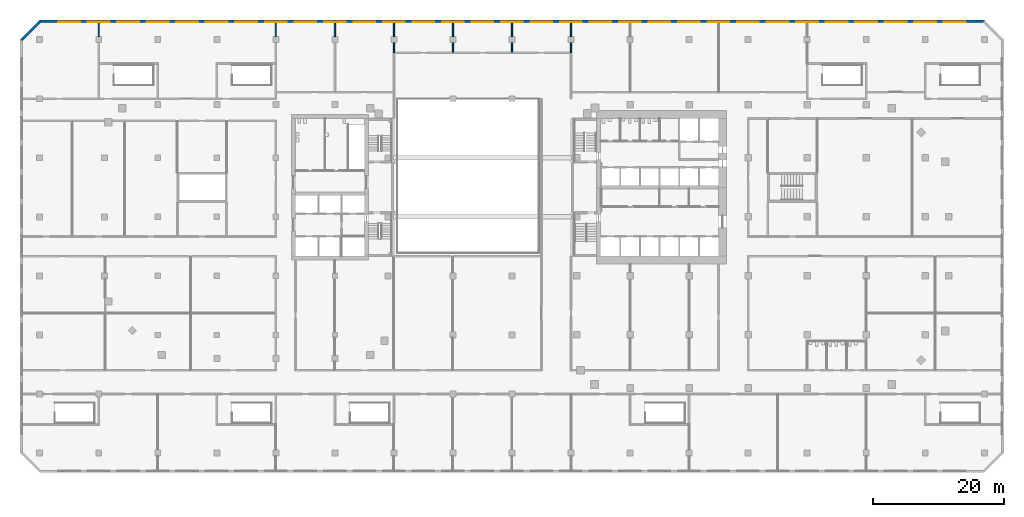
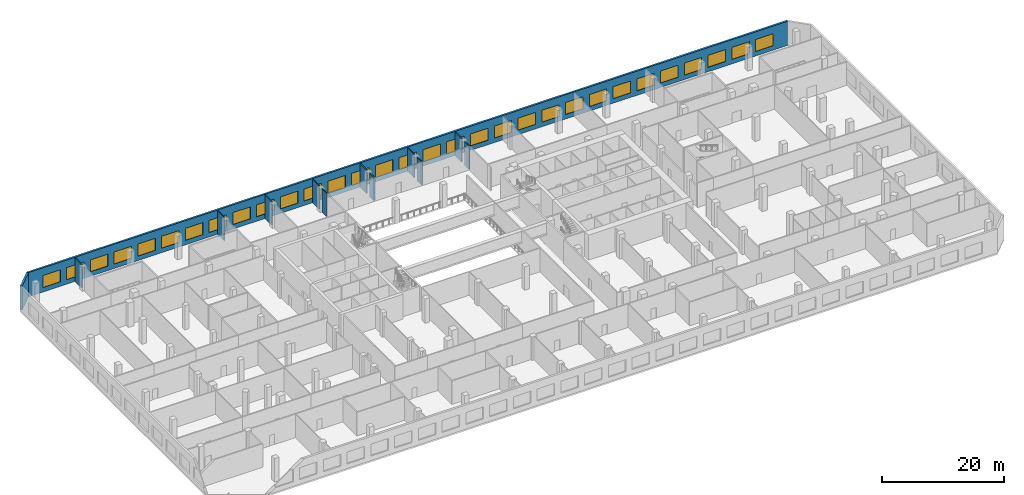
# One storey, part 13 of 20: 31 windows, 13 walls, 31 openings.
"""IFC4 building model written with IfcOpenShell, lengths in metres."""

from ifc_helpers import new_model, si_unit, direction, frame, frame_2d, origin, place, context, subcontext, project, spatial, rectangle, extrude, material, layer, layer_set, type_object, element, fill, save


model = new_model("IFC4")

# Units and contexts
model_context = context("Model", 3, precision=1e-05, world=origin(), true_north=direction((0.0, 1.0)))
body_context = subcontext(model_context, "Body", "Model", "MODEL_VIEW")
ifc_project = project(units=[si_unit("LENGTHUNIT", "METRE"), si_unit("AREAUNIT", "SQUARE_METRE"), si_unit("VOLUMEUNIT", "CUBIC_METRE"), si_unit("PLANEANGLEUNIT", "RADIAN"), si_unit("MASSUNIT", "GRAM", prefix="KILO")], contexts=[model_context])

# Site, building, storey
site_placement = place(None, origin())
site = spatial("IfcSite", under=ifc_project, at=site_placement, CompositionType="ELEMENT")
building_placement = place(site_placement, origin())
building = spatial("IfcBuilding", under=site, at=building_placement, Name="Cinnabar Reach Civic Tower", CompositionType="ELEMENT")
storey_placement = place(building_placement, frame((0.0, 0.0, 21.0)))
storey = spatial("IfcBuildingStorey", under=building, at=storey_placement, Name="L04", CompositionType="ELEMENT", Elevation=21.0)

# Wall
ifc_material_1 = material(Name="Facing brick with insulated backing", Category="masonry")
ifc_layer_1 = layer(ifc_material_1, 0.36)
ifc_layer_set_1 = layer_set([ifc_layer_1], Name="Brick corner wall")
wall_type_1 = type_object("IfcWallType", Name="Brick corner wall", PredefinedType="STANDARD", material=ifc_layer_set_1)
wall_1_placement = place(storey_placement, frame((-80.9611, 56.7843, 0.0), z_axis=(0.0, 0.0, 1.0), x_axis=(-0.707106781187, -0.707106781187, 0.0)))
element("IfcWall", 1, at=wall_1_placement, inside=storey, type_object=wall_type_1, Name="Brick corner wall", PredefinedType="STANDARD", context=body_context, shape_type="SweptSolid", body=[
    extrude(rectangle(XDim=3.9926, YDim=0.36, at=frame_2d((1.9963, 0.0))), origin(), (0.0, 0.0, 1.0), 4.85),
])

# Wall, openings, windows
ifc_layer_2 = layer(ifc_material_1, 0.36)
ifc_layer_set_2 = layer_set([ifc_layer_2], Name="Brick pier and spandrel wall")
wall_type_2 = type_object("IfcWallType", Name="Brick pier and spandrel wall", PredefinedType="STANDARD", material=ifc_layer_set_2)
wall_2_placement = place(storey_placement, frame((63.0, 56.82, 0.0), z_axis=(0.0, 0.0, 1.0), x_axis=(-1.0, 0.0, 0.0)))
wall_2 = element("IfcWall", 2, at=wall_2_placement, inside=storey, type_object=wall_type_2, Name="Brick facade wall", PredefinedType="STANDARD", context=body_context, shape_type="SweptSolid", body=[
    extrude(rectangle(XDim=144.0, YDim=0.36, at=frame_2d((72.0, 0.0))), origin(), (0.0, 0.0, 1.0), 4.85),
])
opening_1_placement = place(wall_2_placement, frame((2.85, 0.0, 0.9)))
opening_1 = element("IfcOpeningElement", 3, at=opening_1_placement, cuts=wall_2, Name="Opening W3138", PredefinedType="OPENING", context=body_context, shape_type="SweptSolid", body=[
    extrude(rectangle(XDim=3.3, YDim=2.4, at=frame_2d((1.65, 1.2))), frame((0.0, 0.19, 0.0), z_axis=(0.0, -1.0, 0.0), x_axis=(1.0, 0.0, 0.0)), (0.0, 0.0, 1.0), 0.38),
])
opening_2_placement = place(wall_2_placement, frame((7.35, 0.0, 0.9)))
opening_2 = element("IfcOpeningElement", 4, at=opening_2_placement, cuts=wall_2, Name="Opening W3139", PredefinedType="OPENING", context=body_context, shape_type="SweptSolid", body=[
    extrude(rectangle(XDim=3.3, YDim=2.4, at=frame_2d((1.65, 1.2))), frame((0.0, 0.19, 0.0), z_axis=(0.0, -1.0, 0.0), x_axis=(1.0, 0.0, 0.0)), (0.0, 0.0, 1.0), 0.38),
])
opening_3_placement = place(wall_2_placement, frame((11.85, 0.0, 0.9)))
opening_3 = element("IfcOpeningElement", 5, at=opening_3_placement, cuts=wall_2, Name="Opening W3140", PredefinedType="OPENING", context=body_context, shape_type="SweptSolid", body=[
    extrude(rectangle(XDim=3.3, YDim=2.4, at=frame_2d((1.65, 1.2))), frame((0.0, 0.19, 0.0), z_axis=(0.0, -1.0, 0.0), x_axis=(1.0, 0.0, 0.0)), (0.0, 0.0, 1.0), 0.38),
])
opening_4_placement = place(wall_2_placement, frame((16.35, 0.0, 0.9)))
opening_4 = element("IfcOpeningElement", 6, at=opening_4_placement, cuts=wall_2, Name="Opening W3141", PredefinedType="OPENING", context=body_context, shape_type="SweptSolid", body=[
    extrude(rectangle(XDim=3.3, YDim=2.4, at=frame_2d((1.65, 1.2))), frame((0.0, 0.19, 0.0), z_axis=(0.0, -1.0, 0.0), x_axis=(1.0, 0.0, 0.0)), (0.0, 0.0, 1.0), 0.38),
])
opening_5_placement = place(wall_2_placement, frame((20.85, 0.0, 0.9)))
opening_5 = element("IfcOpeningElement", 7, at=opening_5_placement, cuts=wall_2, Name="Opening W3142", PredefinedType="OPENING", context=body_context, shape_type="SweptSolid", body=[
    extrude(rectangle(XDim=3.3, YDim=2.4, at=frame_2d((1.65, 1.2))), frame((0.0, 0.19, 0.0), z_axis=(0.0, -1.0, 0.0), x_axis=(1.0, 0.0, 0.0)), (0.0, 0.0, 1.0), 0.38),
])
opening_6_placement = place(wall_2_placement, frame((25.35, 0.0, 0.9)))
opening_6 = element("IfcOpeningElement", 8, at=opening_6_placement, cuts=wall_2, Name="Opening W3143", PredefinedType="OPENING", context=body_context, shape_type="SweptSolid", body=[
    extrude(rectangle(XDim=3.3, YDim=2.4, at=frame_2d((1.65, 1.2))), frame((0.0, 0.19, 0.0), z_axis=(0.0, -1.0, 0.0), x_axis=(1.0, 0.0, 0.0)), (0.0, 0.0, 1.0), 0.38),
])
opening_7_placement = place(wall_2_placement, frame((29.85, 0.0, 0.9)))
opening_7 = element("IfcOpeningElement", 9, at=opening_7_placement, cuts=wall_2, Name="Opening W3144", PredefinedType="OPENING", context=body_context, shape_type="SweptSolid", body=[
    extrude(rectangle(XDim=3.3, YDim=2.4, at=frame_2d((1.65, 1.2))), frame((0.0, 0.19, 0.0), z_axis=(0.0, -1.0, 0.0), x_axis=(1.0, 0.0, 0.0)), (0.0, 0.0, 1.0), 0.38),
])
opening_8_placement = place(wall_2_placement, frame((34.35, 0.0, 0.9)))
opening_8 = element("IfcOpeningElement", 10, at=opening_8_placement, cuts=wall_2, Name="Opening W3145", PredefinedType="OPENING", context=body_context, shape_type="SweptSolid", body=[
    extrude(rectangle(XDim=3.3, YDim=2.4, at=frame_2d((1.65, 1.2))), frame((0.0, 0.19, 0.0), z_axis=(0.0, -1.0, 0.0), x_axis=(1.0, 0.0, 0.0)), (0.0, 0.0, 1.0), 0.38),
])
opening_9_placement = place(wall_2_placement, frame((38.85, 0.0, 0.9)))
opening_9 = element("IfcOpeningElement", 11, at=opening_9_placement, cuts=wall_2, Name="Opening W3146", PredefinedType="OPENING", context=body_context, shape_type="SweptSolid", body=[
    extrude(rectangle(XDim=3.3, YDim=2.4, at=frame_2d((1.65, 1.2))), frame((0.0, 0.19, 0.0), z_axis=(0.0, -1.0, 0.0), x_axis=(1.0, 0.0, 0.0)), (0.0, 0.0, 1.0), 0.38),
])
opening_10_placement = place(wall_2_placement, frame((43.35, 0.0, 0.9)))
opening_10 = element("IfcOpeningElement", 12, at=opening_10_placement, cuts=wall_2, Name="Opening W3147", PredefinedType="OPENING", context=body_context, shape_type="SweptSolid", body=[
    extrude(rectangle(XDim=3.3, YDim=2.4, at=frame_2d((1.65, 1.2))), frame((0.0, 0.19, 0.0), z_axis=(0.0, -1.0, 0.0), x_axis=(1.0, 0.0, 0.0)), (0.0, 0.0, 1.0), 0.38),
])
opening_11_placement = place(wall_2_placement, frame((47.85, 0.0, 0.9)))
opening_11 = element("IfcOpeningElement", 13, at=opening_11_placement, cuts=wall_2, Name="Opening W3148", PredefinedType="OPENING", context=body_context, shape_type="SweptSolid", body=[
    extrude(rectangle(XDim=3.3, YDim=2.4, at=frame_2d((1.65, 1.2))), frame((0.0, 0.19, 0.0), z_axis=(0.0, -1.0, 0.0), x_axis=(1.0, 0.0, 0.0)), (0.0, 0.0, 1.0), 0.38),
])
opening_12_placement = place(wall_2_placement, frame((52.35, 0.0, 0.9)))
opening_12 = element("IfcOpeningElement", 14, at=opening_12_placement, cuts=wall_2, Name="Opening W3149", PredefinedType="OPENING", context=body_context, shape_type="SweptSolid", body=[
    extrude(rectangle(XDim=3.3, YDim=2.4, at=frame_2d((1.65, 1.2))), frame((0.0, 0.19, 0.0), z_axis=(0.0, -1.0, 0.0), x_axis=(1.0, 0.0, 0.0)), (0.0, 0.0, 1.0), 0.38),
])
opening_13_placement = place(wall_2_placement, frame((56.85, 0.0, 0.9)))
opening_13 = element("IfcOpeningElement", 15, at=opening_13_placement, cuts=wall_2, Name="Opening W3150", PredefinedType="OPENING", context=body_context, shape_type="SweptSolid", body=[
    extrude(rectangle(XDim=3.3, YDim=2.4, at=frame_2d((1.65, 1.2))), frame((0.0, 0.19, 0.0), z_axis=(0.0, -1.0, 0.0), x_axis=(1.0, 0.0, 0.0)), (0.0, 0.0, 1.0), 0.38),
])
opening_14_placement = place(wall_2_placement, frame((61.35, 0.0, 0.9)))
opening_14 = element("IfcOpeningElement", 16, at=opening_14_placement, cuts=wall_2, Name="Opening W3151", PredefinedType="OPENING", context=body_context, shape_type="SweptSolid", body=[
    extrude(rectangle(XDim=3.3, YDim=2.4, at=frame_2d((1.65, 1.2))), frame((0.0, 0.19, 0.0), z_axis=(0.0, -1.0, 0.0), x_axis=(1.0, 0.0, 0.0)), (0.0, 0.0, 1.0), 0.38),
])
opening_15_placement = place(wall_2_placement, frame((65.85, 0.0, 0.9)))
opening_15 = element("IfcOpeningElement", 17, at=opening_15_placement, cuts=wall_2, Name="Opening W3152", PredefinedType="OPENING", context=body_context, shape_type="SweptSolid", body=[
    extrude(rectangle(XDim=3.3, YDim=2.4, at=frame_2d((1.65, 1.2))), frame((0.0, 0.19, 0.0), z_axis=(0.0, -1.0, 0.0), x_axis=(1.0, 0.0, 0.0)), (0.0, 0.0, 1.0), 0.38),
])
opening_16_placement = place(wall_2_placement, frame((70.35, 0.0, 0.9)))
opening_16 = element("IfcOpeningElement", 18, at=opening_16_placement, cuts=wall_2, Name="Opening W3153", PredefinedType="OPENING", context=body_context, shape_type="SweptSolid", body=[
    extrude(rectangle(XDim=3.3, YDim=2.4, at=frame_2d((1.65, 1.2))), frame((0.0, 0.19, 0.0), z_axis=(0.0, -1.0, 0.0), x_axis=(1.0, 0.0, 0.0)), (0.0, 0.0, 1.0), 0.38),
])
opening_17_placement = place(wall_2_placement, frame((74.85, 0.0, 0.9)))
opening_17 = element("IfcOpeningElement", 19, at=opening_17_placement, cuts=wall_2, Name="Opening W3154", PredefinedType="OPENING", context=body_context, shape_type="SweptSolid", body=[
    extrude(rectangle(XDim=3.3, YDim=2.4, at=frame_2d((1.65, 1.2))), frame((0.0, 0.19, 0.0), z_axis=(0.0, -1.0, 0.0), x_axis=(1.0, 0.0, 0.0)), (0.0, 0.0, 1.0), 0.38),
])
opening_18_placement = place(wall_2_placement, frame((79.35, 0.0, 0.9)))
opening_18 = element("IfcOpeningElement", 20, at=opening_18_placement, cuts=wall_2, Name="Opening W3155", PredefinedType="OPENING", context=body_context, shape_type="SweptSolid", body=[
    extrude(rectangle(XDim=3.3, YDim=2.4, at=frame_2d((1.65, 1.2))), frame((0.0, 0.19, 0.0), z_axis=(0.0, -1.0, 0.0), x_axis=(1.0, 0.0, 0.0)), (0.0, 0.0, 1.0), 0.38),
])
opening_19_placement = place(wall_2_placement, frame((83.85, 0.0, 0.9)))
opening_19 = element("IfcOpeningElement", 21, at=opening_19_placement, cuts=wall_2, Name="Opening W3156", PredefinedType="OPENING", context=body_context, shape_type="SweptSolid", body=[
    extrude(rectangle(XDim=3.3, YDim=2.4, at=frame_2d((1.65, 1.2))), frame((0.0, 0.19, 0.0), z_axis=(0.0, -1.0, 0.0), x_axis=(1.0, 0.0, 0.0)), (0.0, 0.0, 1.0), 0.38),
])
opening_20_placement = place(wall_2_placement, frame((88.35, 0.0, 0.9)))
opening_20 = element("IfcOpeningElement", 22, at=opening_20_placement, cuts=wall_2, Name="Opening W3157", PredefinedType="OPENING", context=body_context, shape_type="SweptSolid", body=[
    extrude(rectangle(XDim=3.3, YDim=2.4, at=frame_2d((1.65, 1.2))), frame((0.0, 0.19, 0.0), z_axis=(0.0, -1.0, 0.0), x_axis=(1.0, 0.0, 0.0)), (0.0, 0.0, 1.0), 0.38),
])
opening_21_placement = place(wall_2_placement, frame((92.85, 0.0, 0.9)))
opening_21 = element("IfcOpeningElement", 23, at=opening_21_placement, cuts=wall_2, Name="Opening W3158", PredefinedType="OPENING", context=body_context, shape_type="SweptSolid", body=[
    extrude(rectangle(XDim=3.3, YDim=2.4, at=frame_2d((1.65, 1.2))), frame((0.0, 0.19, 0.0), z_axis=(0.0, -1.0, 0.0), x_axis=(1.0, 0.0, 0.0)), (0.0, 0.0, 1.0), 0.38),
])
opening_22_placement = place(wall_2_placement, frame((97.35, 0.0, 0.9)))
opening_22 = element("IfcOpeningElement", 24, at=opening_22_placement, cuts=wall_2, Name="Opening W3159", PredefinedType="OPENING", context=body_context, shape_type="SweptSolid", body=[
    extrude(rectangle(XDim=3.3, YDim=2.4, at=frame_2d((1.65, 1.2))), frame((0.0, 0.19, 0.0), z_axis=(0.0, -1.0, 0.0), x_axis=(1.0, 0.0, 0.0)), (0.0, 0.0, 1.0), 0.38),
])
opening_23_placement = place(wall_2_placement, frame((101.85, 0.0, 0.9)))
opening_23 = element("IfcOpeningElement", 25, at=opening_23_placement, cuts=wall_2, Name="Opening W3160", PredefinedType="OPENING", context=body_context, shape_type="SweptSolid", body=[
    extrude(rectangle(XDim=3.3, YDim=2.4, at=frame_2d((1.65, 1.2))), frame((0.0, 0.19, 0.0), z_axis=(0.0, -1.0, 0.0), x_axis=(1.0, 0.0, 0.0)), (0.0, 0.0, 1.0), 0.38),
])
opening_24_placement = place(wall_2_placement, frame((106.35, 0.0, 0.9)))
opening_24 = element("IfcOpeningElement", 26, at=opening_24_placement, cuts=wall_2, Name="Opening W3161", PredefinedType="OPENING", context=body_context, shape_type="SweptSolid", body=[
    extrude(rectangle(XDim=3.3, YDim=2.4, at=frame_2d((1.65, 1.2))), frame((0.0, 0.19, 0.0), z_axis=(0.0, -1.0, 0.0), x_axis=(1.0, 0.0, 0.0)), (0.0, 0.0, 1.0), 0.38),
])
opening_25_placement = place(wall_2_placement, frame((110.85, 0.0, 0.9)))
opening_25 = element("IfcOpeningElement", 27, at=opening_25_placement, cuts=wall_2, Name="Opening W3162", PredefinedType="OPENING", context=body_context, shape_type="SweptSolid", body=[
    extrude(rectangle(XDim=3.3, YDim=2.4, at=frame_2d((1.65, 1.2))), frame((0.0, 0.19, 0.0), z_axis=(0.0, -1.0, 0.0), x_axis=(1.0, 0.0, 0.0)), (0.0, 0.0, 1.0), 0.38),
])
opening_26_placement = place(wall_2_placement, frame((115.35, 0.0, 0.9)))
opening_26 = element("IfcOpeningElement", 28, at=opening_26_placement, cuts=wall_2, Name="Opening W3163", PredefinedType="OPENING", context=body_context, shape_type="SweptSolid", body=[
    extrude(rectangle(XDim=3.3, YDim=2.4, at=frame_2d((1.65, 1.2))), frame((0.0, 0.19, 0.0), z_axis=(0.0, -1.0, 0.0), x_axis=(1.0, 0.0, 0.0)), (0.0, 0.0, 1.0), 0.38),
])
opening_27_placement = place(wall_2_placement, frame((119.85, 0.0, 0.9)))
opening_27 = element("IfcOpeningElement", 29, at=opening_27_placement, cuts=wall_2, Name="Opening W3164", PredefinedType="OPENING", context=body_context, shape_type="SweptSolid", body=[
    extrude(rectangle(XDim=3.3, YDim=2.4, at=frame_2d((1.65, 1.2))), frame((0.0, 0.19, 0.0), z_axis=(0.0, -1.0, 0.0), x_axis=(1.0, 0.0, 0.0)), (0.0, 0.0, 1.0), 0.38),
])
opening_28_placement = place(wall_2_placement, frame((124.35, 0.0, 0.9)))
opening_28 = element("IfcOpeningElement", 30, at=opening_28_placement, cuts=wall_2, Name="Opening W3165", PredefinedType="OPENING", context=body_context, shape_type="SweptSolid", body=[
    extrude(rectangle(XDim=3.3, YDim=2.4, at=frame_2d((1.65, 1.2))), frame((0.0, 0.19, 0.0), z_axis=(0.0, -1.0, 0.0), x_axis=(1.0, 0.0, 0.0)), (0.0, 0.0, 1.0), 0.38),
])
opening_29_placement = place(wall_2_placement, frame((128.85, 0.0, 0.9)))
opening_29 = element("IfcOpeningElement", 31, at=opening_29_placement, cuts=wall_2, Name="Opening W3166", PredefinedType="OPENING", context=body_context, shape_type="SweptSolid", body=[
    extrude(rectangle(XDim=3.3, YDim=2.4, at=frame_2d((1.65, 1.2))), frame((0.0, 0.19, 0.0), z_axis=(0.0, -1.0, 0.0), x_axis=(1.0, 0.0, 0.0)), (0.0, 0.0, 1.0), 0.38),
])
opening_30_placement = place(wall_2_placement, frame((133.35, 0.0, 0.9)))
opening_30 = element("IfcOpeningElement", 32, at=opening_30_placement, cuts=wall_2, Name="Opening W3167", PredefinedType="OPENING", context=body_context, shape_type="SweptSolid", body=[
    extrude(rectangle(XDim=3.3, YDim=2.4, at=frame_2d((1.65, 1.2))), frame((0.0, 0.19, 0.0), z_axis=(0.0, -1.0, 0.0), x_axis=(1.0, 0.0, 0.0)), (0.0, 0.0, 1.0), 0.38),
])
opening_31_placement = place(wall_2_placement, frame((137.85, 0.0, 0.9)))
opening_31 = element("IfcOpeningElement", 33, at=opening_31_placement, cuts=wall_2, Name="Opening W3168", PredefinedType="OPENING", context=body_context, shape_type="SweptSolid", body=[
    extrude(rectangle(XDim=3.3, YDim=2.4, at=frame_2d((1.65, 1.2))), frame((0.0, 0.19, 0.0), z_axis=(0.0, -1.0, 0.0), x_axis=(1.0, 0.0, 0.0)), (0.0, 0.0, 1.0), 0.38),
])
ifc_material_2 = material(Name="Clear double glazing in aluminium frame", Category="aluminium")
window_type = type_object("IfcWindowType", Name="Podium window P", PartitioningType="SINGLE_PANEL", PredefinedType="WINDOW", material=ifc_material_2)
window_1_placement = place(opening_1_placement, origin())
window_1 = element("IfcWindow", 34, at=window_1_placement, inside=storey, type_object=window_type, Name="Window north face", OverallHeight=2.4, OverallWidth=3.3, PartitioningType="SINGLE_PANEL", PredefinedType="WINDOW", context=body_context, shape_type="SweptSolid", body=[
    extrude(rectangle(XDim=3.3, YDim=2.4, at=frame_2d((1.65, 1.2))), frame((0.0, 0.13, 0.0), z_axis=(0.0, -1.0, 0.0), x_axis=(1.0, 0.0, 0.0)), (0.0, 0.0, 1.0), 0.06),
])
fill(opening_1, window_1)
window_2_placement = place(opening_2_placement, origin())
window_2 = element("IfcWindow", 35, at=window_2_placement, inside=storey, type_object=window_type, Name="Window north face", OverallHeight=2.4, OverallWidth=3.3, PartitioningType="SINGLE_PANEL", PredefinedType="WINDOW", context=body_context, shape_type="SweptSolid", body=[
    extrude(rectangle(XDim=3.3, YDim=2.4, at=frame_2d((1.65, 1.2))), frame((0.0, 0.13, 0.0), z_axis=(0.0, -1.0, 0.0), x_axis=(1.0, 0.0, 0.0)), (0.0, 0.0, 1.0), 0.06),
])
fill(opening_2, window_2)
window_3_placement = place(opening_3_placement, origin())
window_3 = element("IfcWindow", 36, at=window_3_placement, inside=storey, type_object=window_type, Name="Window north face", OverallHeight=2.4, OverallWidth=3.3, PartitioningType="SINGLE_PANEL", PredefinedType="WINDOW", context=body_context, shape_type="SweptSolid", body=[
    extrude(rectangle(XDim=3.3, YDim=2.4, at=frame_2d((1.65, 1.2))), frame((0.0, 0.13, 0.0), z_axis=(0.0, -1.0, 0.0), x_axis=(1.0, 0.0, 0.0)), (0.0, 0.0, 1.0), 0.06),
])
fill(opening_3, window_3)
window_4_placement = place(opening_4_placement, origin())
window_4 = element("IfcWindow", 37, at=window_4_placement, inside=storey, type_object=window_type, Name="Window north face", OverallHeight=2.4, OverallWidth=3.3, PartitioningType="SINGLE_PANEL", PredefinedType="WINDOW", context=body_context, shape_type="SweptSolid", body=[
    extrude(rectangle(XDim=3.3, YDim=2.4, at=frame_2d((1.65, 1.2))), frame((0.0, 0.13, 0.0), z_axis=(0.0, -1.0, 0.0), x_axis=(1.0, 0.0, 0.0)), (0.0, 0.0, 1.0), 0.06),
])
fill(opening_4, window_4)
window_5_placement = place(opening_5_placement, origin())
window_5 = element("IfcWindow", 38, at=window_5_placement, inside=storey, type_object=window_type, Name="Window north face", OverallHeight=2.4, OverallWidth=3.3, PartitioningType="SINGLE_PANEL", PredefinedType="WINDOW", context=body_context, shape_type="SweptSolid", body=[
    extrude(rectangle(XDim=3.3, YDim=2.4, at=frame_2d((1.65, 1.2))), frame((0.0, 0.13, 0.0), z_axis=(0.0, -1.0, 0.0), x_axis=(1.0, 0.0, 0.0)), (0.0, 0.0, 1.0), 0.06),
])
fill(opening_5, window_5)
window_6_placement = place(opening_6_placement, origin())
window_6 = element("IfcWindow", 39, at=window_6_placement, inside=storey, type_object=window_type, Name="Window north face", OverallHeight=2.4, OverallWidth=3.3, PartitioningType="SINGLE_PANEL", PredefinedType="WINDOW", context=body_context, shape_type="SweptSolid", body=[
    extrude(rectangle(XDim=3.3, YDim=2.4, at=frame_2d((1.65, 1.2))), frame((0.0, 0.13, 0.0), z_axis=(0.0, -1.0, 0.0), x_axis=(1.0, 0.0, 0.0)), (0.0, 0.0, 1.0), 0.06),
])
fill(opening_6, window_6)
window_7_placement = place(opening_7_placement, origin())
window_7 = element("IfcWindow", 40, at=window_7_placement, inside=storey, type_object=window_type, Name="Window north face", OverallHeight=2.4, OverallWidth=3.3, PartitioningType="SINGLE_PANEL", PredefinedType="WINDOW", context=body_context, shape_type="SweptSolid", body=[
    extrude(rectangle(XDim=3.3, YDim=2.4, at=frame_2d((1.65, 1.2))), frame((0.0, 0.13, 0.0), z_axis=(0.0, -1.0, 0.0), x_axis=(1.0, 0.0, 0.0)), (0.0, 0.0, 1.0), 0.06),
])
fill(opening_7, window_7)
window_8_placement = place(opening_8_placement, origin())
window_8 = element("IfcWindow", 41, at=window_8_placement, inside=storey, type_object=window_type, Name="Window north face", OverallHeight=2.4, OverallWidth=3.3, PartitioningType="SINGLE_PANEL", PredefinedType="WINDOW", context=body_context, shape_type="SweptSolid", body=[
    extrude(rectangle(XDim=3.3, YDim=2.4, at=frame_2d((1.65, 1.2))), frame((0.0, 0.13, 0.0), z_axis=(0.0, -1.0, 0.0), x_axis=(1.0, 0.0, 0.0)), (0.0, 0.0, 1.0), 0.06),
])
fill(opening_8, window_8)
window_9_placement = place(opening_9_placement, origin())
window_9 = element("IfcWindow", 42, at=window_9_placement, inside=storey, type_object=window_type, Name="Window north face", OverallHeight=2.4, OverallWidth=3.3, PartitioningType="SINGLE_PANEL", PredefinedType="WINDOW", context=body_context, shape_type="SweptSolid", body=[
    extrude(rectangle(XDim=3.3, YDim=2.4, at=frame_2d((1.65, 1.2))), frame((0.0, 0.13, 0.0), z_axis=(0.0, -1.0, 0.0), x_axis=(1.0, 0.0, 0.0)), (0.0, 0.0, 1.0), 0.06),
])
fill(opening_9, window_9)
window_10_placement = place(opening_10_placement, origin())
window_10 = element("IfcWindow", 43, at=window_10_placement, inside=storey, type_object=window_type, Name="Window north face", OverallHeight=2.4, OverallWidth=3.3, PartitioningType="SINGLE_PANEL", PredefinedType="WINDOW", context=body_context, shape_type="SweptSolid", body=[
    extrude(rectangle(XDim=3.3, YDim=2.4, at=frame_2d((1.65, 1.2))), frame((0.0, 0.13, 0.0), z_axis=(0.0, -1.0, 0.0), x_axis=(1.0, 0.0, 0.0)), (0.0, 0.0, 1.0), 0.06),
])
fill(opening_10, window_10)
window_11_placement = place(opening_11_placement, origin())
window_11 = element("IfcWindow", 44, at=window_11_placement, inside=storey, type_object=window_type, Name="Window north face", OverallHeight=2.4, OverallWidth=3.3, PartitioningType="SINGLE_PANEL", PredefinedType="WINDOW", context=body_context, shape_type="SweptSolid", body=[
    extrude(rectangle(XDim=3.3, YDim=2.4, at=frame_2d((1.65, 1.2))), frame((0.0, 0.13, 0.0), z_axis=(0.0, -1.0, 0.0), x_axis=(1.0, 0.0, 0.0)), (0.0, 0.0, 1.0), 0.06),
])
fill(opening_11, window_11)
window_12_placement = place(opening_12_placement, origin())
window_12 = element("IfcWindow", 45, at=window_12_placement, inside=storey, type_object=window_type, Name="Window north face", OverallHeight=2.4, OverallWidth=3.3, PartitioningType="SINGLE_PANEL", PredefinedType="WINDOW", context=body_context, shape_type="SweptSolid", body=[
    extrude(rectangle(XDim=3.3, YDim=2.4, at=frame_2d((1.65, 1.2))), frame((0.0, 0.13, 0.0), z_axis=(0.0, -1.0, 0.0), x_axis=(1.0, 0.0, 0.0)), (0.0, 0.0, 1.0), 0.06),
])
fill(opening_12, window_12)
window_13_placement = place(opening_13_placement, origin())
window_13 = element("IfcWindow", 46, at=window_13_placement, inside=storey, type_object=window_type, Name="Window north face", OverallHeight=2.4, OverallWidth=3.3, PartitioningType="SINGLE_PANEL", PredefinedType="WINDOW", context=body_context, shape_type="SweptSolid", body=[
    extrude(rectangle(XDim=3.3, YDim=2.4, at=frame_2d((1.65, 1.2))), frame((0.0, 0.13, 0.0), z_axis=(0.0, -1.0, 0.0), x_axis=(1.0, 0.0, 0.0)), (0.0, 0.0, 1.0), 0.06),
])
fill(opening_13, window_13)
window_14_placement = place(opening_14_placement, origin())
window_14 = element("IfcWindow", 47, at=window_14_placement, inside=storey, type_object=window_type, Name="Window north face", OverallHeight=2.4, OverallWidth=3.3, PartitioningType="SINGLE_PANEL", PredefinedType="WINDOW", context=body_context, shape_type="SweptSolid", body=[
    extrude(rectangle(XDim=3.3, YDim=2.4, at=frame_2d((1.65, 1.2))), frame((0.0, 0.13, 0.0), z_axis=(0.0, -1.0, 0.0), x_axis=(1.0, 0.0, 0.0)), (0.0, 0.0, 1.0), 0.06),
])
fill(opening_14, window_14)
window_15_placement = place(opening_15_placement, origin())
window_15 = element("IfcWindow", 48, at=window_15_placement, inside=storey, type_object=window_type, Name="Window north face", OverallHeight=2.4, OverallWidth=3.3, PartitioningType="SINGLE_PANEL", PredefinedType="WINDOW", context=body_context, shape_type="SweptSolid", body=[
    extrude(rectangle(XDim=3.3, YDim=2.4, at=frame_2d((1.65, 1.2))), frame((0.0, 0.13, 0.0), z_axis=(0.0, -1.0, 0.0), x_axis=(1.0, 0.0, 0.0)), (0.0, 0.0, 1.0), 0.06),
])
fill(opening_15, window_15)
window_16_placement = place(opening_16_placement, origin())
window_16 = element("IfcWindow", 49, at=window_16_placement, inside=storey, type_object=window_type, Name="Window north face", OverallHeight=2.4, OverallWidth=3.3, PartitioningType="SINGLE_PANEL", PredefinedType="WINDOW", context=body_context, shape_type="SweptSolid", body=[
    extrude(rectangle(XDim=3.3, YDim=2.4, at=frame_2d((1.65, 1.2))), frame((0.0, 0.13, 0.0), z_axis=(0.0, -1.0, 0.0), x_axis=(1.0, 0.0, 0.0)), (0.0, 0.0, 1.0), 0.06),
])
fill(opening_16, window_16)
window_17_placement = place(opening_17_placement, origin())
window_17 = element("IfcWindow", 50, at=window_17_placement, inside=storey, type_object=window_type, Name="Window north face", OverallHeight=2.4, OverallWidth=3.3, PartitioningType="SINGLE_PANEL", PredefinedType="WINDOW", context=body_context, shape_type="SweptSolid", body=[
    extrude(rectangle(XDim=3.3, YDim=2.4, at=frame_2d((1.65, 1.2))), frame((0.0, 0.13, 0.0), z_axis=(0.0, -1.0, 0.0), x_axis=(1.0, 0.0, 0.0)), (0.0, 0.0, 1.0), 0.06),
])
fill(opening_17, window_17)
window_18_placement = place(opening_18_placement, origin())
window_18 = element("IfcWindow", 51, at=window_18_placement, inside=storey, type_object=window_type, Name="Window north face", OverallHeight=2.4, OverallWidth=3.3, PartitioningType="SINGLE_PANEL", PredefinedType="WINDOW", context=body_context, shape_type="SweptSolid", body=[
    extrude(rectangle(XDim=3.3, YDim=2.4, at=frame_2d((1.65, 1.2))), frame((0.0, 0.13, 0.0), z_axis=(0.0, -1.0, 0.0), x_axis=(1.0, 0.0, 0.0)), (0.0, 0.0, 1.0), 0.06),
])
fill(opening_18, window_18)
window_19_placement = place(opening_19_placement, origin())
window_19 = element("IfcWindow", 52, at=window_19_placement, inside=storey, type_object=window_type, Name="Window north face", OverallHeight=2.4, OverallWidth=3.3, PartitioningType="SINGLE_PANEL", PredefinedType="WINDOW", context=body_context, shape_type="SweptSolid", body=[
    extrude(rectangle(XDim=3.3, YDim=2.4, at=frame_2d((1.65, 1.2))), frame((0.0, 0.13, 0.0), z_axis=(0.0, -1.0, 0.0), x_axis=(1.0, 0.0, 0.0)), (0.0, 0.0, 1.0), 0.06),
])
fill(opening_19, window_19)
window_20_placement = place(opening_20_placement, origin())
window_20 = element("IfcWindow", 53, at=window_20_placement, inside=storey, type_object=window_type, Name="Window north face", OverallHeight=2.4, OverallWidth=3.3, PartitioningType="SINGLE_PANEL", PredefinedType="WINDOW", context=body_context, shape_type="SweptSolid", body=[
    extrude(rectangle(XDim=3.3, YDim=2.4, at=frame_2d((1.65, 1.2))), frame((0.0, 0.13, 0.0), z_axis=(0.0, -1.0, 0.0), x_axis=(1.0, 0.0, 0.0)), (0.0, 0.0, 1.0), 0.06),
])
fill(opening_20, window_20)
window_21_placement = place(opening_21_placement, origin())
window_21 = element("IfcWindow", 54, at=window_21_placement, inside=storey, type_object=window_type, Name="Window north face", OverallHeight=2.4, OverallWidth=3.3, PartitioningType="SINGLE_PANEL", PredefinedType="WINDOW", context=body_context, shape_type="SweptSolid", body=[
    extrude(rectangle(XDim=3.3, YDim=2.4, at=frame_2d((1.65, 1.2))), frame((0.0, 0.13, 0.0), z_axis=(0.0, -1.0, 0.0), x_axis=(1.0, 0.0, 0.0)), (0.0, 0.0, 1.0), 0.06),
])
fill(opening_21, window_21)
window_22_placement = place(opening_22_placement, origin())
window_22 = element("IfcWindow", 55, at=window_22_placement, inside=storey, type_object=window_type, Name="Window north face", OverallHeight=2.4, OverallWidth=3.3, PartitioningType="SINGLE_PANEL", PredefinedType="WINDOW", context=body_context, shape_type="SweptSolid", body=[
    extrude(rectangle(XDim=3.3, YDim=2.4, at=frame_2d((1.65, 1.2))), frame((0.0, 0.13, 0.0), z_axis=(0.0, -1.0, 0.0), x_axis=(1.0, 0.0, 0.0)), (0.0, 0.0, 1.0), 0.06),
])
fill(opening_22, window_22)
window_23_placement = place(opening_23_placement, origin())
window_23 = element("IfcWindow", 56, at=window_23_placement, inside=storey, type_object=window_type, Name="Window north face", OverallHeight=2.4, OverallWidth=3.3, PartitioningType="SINGLE_PANEL", PredefinedType="WINDOW", context=body_context, shape_type="SweptSolid", body=[
    extrude(rectangle(XDim=3.3, YDim=2.4, at=frame_2d((1.65, 1.2))), frame((0.0, 0.13, 0.0), z_axis=(0.0, -1.0, 0.0), x_axis=(1.0, 0.0, 0.0)), (0.0, 0.0, 1.0), 0.06),
])
fill(opening_23, window_23)
window_24_placement = place(opening_24_placement, origin())
window_24 = element("IfcWindow", 57, at=window_24_placement, inside=storey, type_object=window_type, Name="Window north face", OverallHeight=2.4, OverallWidth=3.3, PartitioningType="SINGLE_PANEL", PredefinedType="WINDOW", context=body_context, shape_type="SweptSolid", body=[
    extrude(rectangle(XDim=3.3, YDim=2.4, at=frame_2d((1.65, 1.2))), frame((0.0, 0.13, 0.0), z_axis=(0.0, -1.0, 0.0), x_axis=(1.0, 0.0, 0.0)), (0.0, 0.0, 1.0), 0.06),
])
fill(opening_24, window_24)
window_25_placement = place(opening_25_placement, origin())
window_25 = element("IfcWindow", 58, at=window_25_placement, inside=storey, type_object=window_type, Name="Window north face", OverallHeight=2.4, OverallWidth=3.3, PartitioningType="SINGLE_PANEL", PredefinedType="WINDOW", context=body_context, shape_type="SweptSolid", body=[
    extrude(rectangle(XDim=3.3, YDim=2.4, at=frame_2d((1.65, 1.2))), frame((0.0, 0.13, 0.0), z_axis=(0.0, -1.0, 0.0), x_axis=(1.0, 0.0, 0.0)), (0.0, 0.0, 1.0), 0.06),
])
fill(opening_25, window_25)
window_26_placement = place(opening_26_placement, origin())
window_26 = element("IfcWindow", 59, at=window_26_placement, inside=storey, type_object=window_type, Name="Window north face", OverallHeight=2.4, OverallWidth=3.3, PartitioningType="SINGLE_PANEL", PredefinedType="WINDOW", context=body_context, shape_type="SweptSolid", body=[
    extrude(rectangle(XDim=3.3, YDim=2.4, at=frame_2d((1.65, 1.2))), frame((0.0, 0.13, 0.0), z_axis=(0.0, -1.0, 0.0), x_axis=(1.0, 0.0, 0.0)), (0.0, 0.0, 1.0), 0.06),
])
fill(opening_26, window_26)
window_27_placement = place(opening_27_placement, origin())
window_27 = element("IfcWindow", 60, at=window_27_placement, inside=storey, type_object=window_type, Name="Window north face", OverallHeight=2.4, OverallWidth=3.3, PartitioningType="SINGLE_PANEL", PredefinedType="WINDOW", context=body_context, shape_type="SweptSolid", body=[
    extrude(rectangle(XDim=3.3, YDim=2.4, at=frame_2d((1.65, 1.2))), frame((0.0, 0.13, 0.0), z_axis=(0.0, -1.0, 0.0), x_axis=(1.0, 0.0, 0.0)), (0.0, 0.0, 1.0), 0.06),
])
fill(opening_27, window_27)
window_28_placement = place(opening_28_placement, origin())
window_28 = element("IfcWindow", 61, at=window_28_placement, inside=storey, type_object=window_type, Name="Window north face", OverallHeight=2.4, OverallWidth=3.3, PartitioningType="SINGLE_PANEL", PredefinedType="WINDOW", context=body_context, shape_type="SweptSolid", body=[
    extrude(rectangle(XDim=3.3, YDim=2.4, at=frame_2d((1.65, 1.2))), frame((0.0, 0.13, 0.0), z_axis=(0.0, -1.0, 0.0), x_axis=(1.0, 0.0, 0.0)), (0.0, 0.0, 1.0), 0.06),
])
fill(opening_28, window_28)
window_29_placement = place(opening_29_placement, origin())
window_29 = element("IfcWindow", 62, at=window_29_placement, inside=storey, type_object=window_type, Name="Window north face", OverallHeight=2.4, OverallWidth=3.3, PartitioningType="SINGLE_PANEL", PredefinedType="WINDOW", context=body_context, shape_type="SweptSolid", body=[
    extrude(rectangle(XDim=3.3, YDim=2.4, at=frame_2d((1.65, 1.2))), frame((0.0, 0.13, 0.0), z_axis=(0.0, -1.0, 0.0), x_axis=(1.0, 0.0, 0.0)), (0.0, 0.0, 1.0), 0.06),
])
fill(opening_29, window_29)
window_30_placement = place(opening_30_placement, origin())
window_30 = element("IfcWindow", 63, at=window_30_placement, inside=storey, type_object=window_type, Name="Window north face", OverallHeight=2.4, OverallWidth=3.3, PartitioningType="SINGLE_PANEL", PredefinedType="WINDOW", context=body_context, shape_type="SweptSolid", body=[
    extrude(rectangle(XDim=3.3, YDim=2.4, at=frame_2d((1.65, 1.2))), frame((0.0, 0.13, 0.0), z_axis=(0.0, -1.0, 0.0), x_axis=(1.0, 0.0, 0.0)), (0.0, 0.0, 1.0), 0.06),
])
fill(opening_30, window_30)
window_31_placement = place(opening_31_placement, origin())
window_31 = element("IfcWindow", 64, at=window_31_placement, inside=storey, type_object=window_type, Name="Window north face", OverallHeight=2.4, OverallWidth=3.3, PartitioningType="SINGLE_PANEL", PredefinedType="WINDOW", context=body_context, shape_type="SweptSolid", body=[
    extrude(rectangle(XDim=3.3, YDim=2.4, at=frame_2d((1.65, 1.2))), frame((0.0, 0.13, 0.0), z_axis=(0.0, -1.0, 0.0), x_axis=(1.0, 0.0, 0.0)), (0.0, 0.0, 1.0), 0.06),
])
fill(opening_31, window_31)

# Walls
ifc_material_3 = material(Name="Concrete blockwork", Category="masonry")
ifc_layer_3 = layer(ifc_material_3, 0.2)
ifc_layer_set_3 = layer_set([ifc_layer_3], Name="Podium masonry corridor wall 200 EI 120")
wall_type_3 = type_object("IfcWallType", Name="Podium masonry corridor wall 200 EI 120", PredefinedType="PARTITIONING", material=ifc_layer_set_3)
wall_3_placement = place(storey_placement, frame((-18.0, 52.1, 0.0), z_axis=(0.0, 0.0, 1.0), x_axis=(0.0, 1.0, 0.0)))
element("IfcWall", 65, at=wall_3_placement, inside=storey, type_object=wall_type_3, Name="Wall L04 133", PredefinedType="PARTITIONING", context=body_context, shape_type="SweptSolid", body=[
    extrude(rectangle(XDim=1.43, YDim=0.2, at=frame_2d((0.715, 0.0))), origin(), (0.0, 0.0, 1.0), 4.7),
])
wall_4_placement = place(storey_placement, frame((-18.0, 54.47, 0.0), z_axis=(0.0, 0.0, 1.0), x_axis=(0.0, 1.0, 0.0)))
element("IfcWall", 66, at=wall_4_placement, inside=storey, type_object=wall_type_3, Name="Wall L04 134", PredefinedType="PARTITIONING", context=body_context, shape_type="SweptSolid", body=[
    extrude(rectangle(XDim=2.13, YDim=0.2, at=frame_2d((1.065, 0.0))), origin(), (0.0, 0.0, 1.0), 4.7),
])
wall_5_placement = place(storey_placement, frame((-27.0, 52.0, 0.0), z_axis=(0.0, 0.0, 1.0), x_axis=(0.0, 1.0, 0.0)))
element("IfcWall", 67, at=wall_5_placement, inside=storey, type_object=wall_type_3, Name="Wall L04 135", PredefinedType="PARTITIONING", context=body_context, shape_type="SweptSolid", body=[
    extrude(rectangle(XDim=1.53, YDim=0.2, at=frame_2d((0.765, 0.0))), origin(), (0.0, 0.0, 1.0), 4.7),
])
wall_6_placement = place(storey_placement, frame((-27.0, 54.47, 0.0), z_axis=(0.0, 0.0, 1.0), x_axis=(0.0, 1.0, 0.0)))
element("IfcWall", 68, at=wall_6_placement, inside=storey, type_object=wall_type_3, Name="Wall L04 136", PredefinedType="PARTITIONING", context=body_context, shape_type="SweptSolid", body=[
    extrude(rectangle(XDim=2.13, YDim=0.2, at=frame_2d((1.065, 0.0))), origin(), (0.0, 0.0, 1.0), 4.7),
])
wall_7_placement = place(storey_placement, frame((-9.0, 52.1, 0.0), z_axis=(0.0, 0.0, 1.0), x_axis=(0.0, 1.0, 0.0)))
element("IfcWall", 69, at=wall_7_placement, inside=storey, type_object=wall_type_3, Name="Wall L04 137", PredefinedType="PARTITIONING", context=body_context, shape_type="SweptSolid", body=[
    extrude(rectangle(XDim=1.43, YDim=0.2, at=frame_2d((0.715, 0.0))), origin(), (0.0, 0.0, 1.0), 4.7),
])
wall_8_placement = place(storey_placement, frame((-9.0, 54.47, 0.0), z_axis=(0.0, 0.0, 1.0), x_axis=(0.0, 1.0, 0.0)))
element("IfcWall", 70, at=wall_8_placement, inside=storey, type_object=wall_type_3, Name="Wall L04 138", PredefinedType="PARTITIONING", context=body_context, shape_type="SweptSolid", body=[
    extrude(rectangle(XDim=2.13, YDim=0.2, at=frame_2d((1.065, 0.0))), origin(), (0.0, 0.0, 1.0), 4.7),
])
wall_9_placement = place(storey_placement, frame((0.0, 52.0, 0.0), z_axis=(0.0, 0.0, 1.0), x_axis=(0.0, 1.0, 0.0)))
element("IfcWall", 71, at=wall_9_placement, inside=storey, type_object=wall_type_3, Name="Wall L04 139", PredefinedType="PARTITIONING", context=body_context, shape_type="SweptSolid", body=[
    extrude(rectangle(XDim=1.53, YDim=0.2, at=frame_2d((0.765, 0.0))), origin(), (0.0, 0.0, 1.0), 4.7),
])
for number, where, z_axis, x_axis, name in (
    (72, (0.0, 54.47, 0.0), (0.0, 0.0, 1.0), (0.0, 1.0, 0.0), "Wall L04 140"),
    (73, (-72.0, 54.47, 0.0), (0.0, 0.0, 1.0), (0.0, 1.0, 0.0), "Wall L04 191"),
    (74, (-45.0, 54.47, 0.0), (0.0, 0.0, 1.0), (0.0, 1.0, 0.0), "Wall L04 193"),
    (75, (-36.0, 54.47, 0.0), (0.0, 0.0, 1.0), (0.0, 1.0, 0.0), "Wall L04 195"),
):
    element("IfcWall", number, at=place(storey_placement, frame(where, z_axis=z_axis, x_axis=x_axis)), inside=storey, type_object=wall_type_3, Name=name, PredefinedType="PARTITIONING", context=body_context, shape_type="SweptSolid", body=[
        extrude(rectangle(XDim=2.13, YDim=0.2, at=frame_2d((1.065, 0.0))), origin(), (0.0, 0.0, 1.0), 4.7),
    ])

save(model, "model.ifc")
